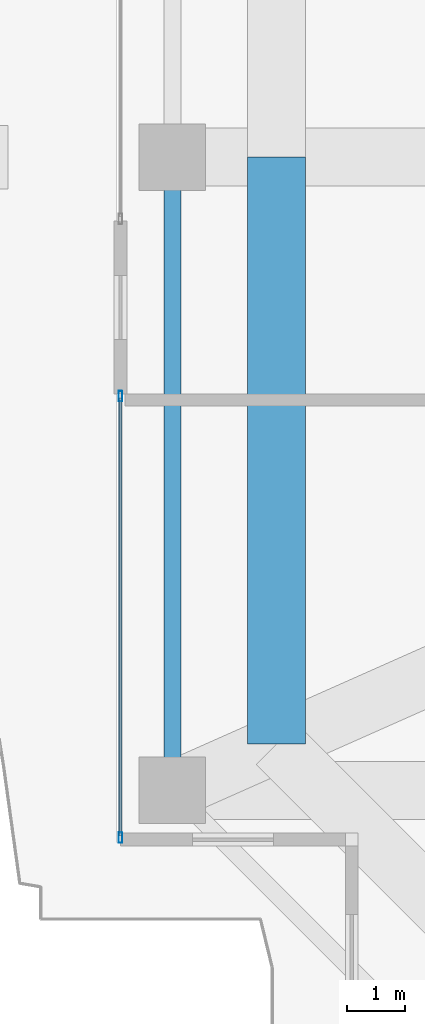
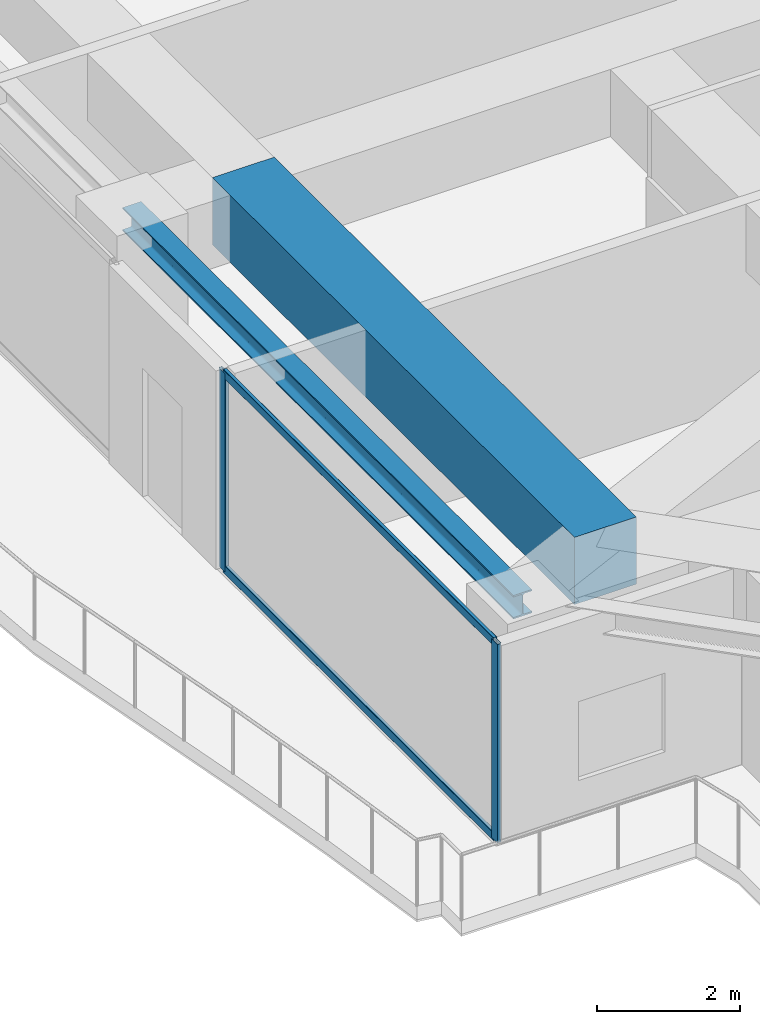
# One storey, part 3 of 39: 4 members, 2 beams, 1 element without a shape of its own.
"""IFC4 building model written with IfcOpenShell, lengths in metres."""

from ifc_helpers import new_model, si_unit, direction, frame, origin, origin_2d, place, context, subcontext, project, spatial, rectangle, hollow_rectangle, i_section, extrude, source, transform, mapped, material, layer, layer_set, material_profile, profile_set, type_object, element, aggregate, save


model = new_model("IFC4")

# Units and contexts
model_context = context("Model", 3, precision=1e-05, world=origin(), true_north=direction((0.0, 1.0)))
body_context = subcontext(model_context, "Body", "Model", "MODEL_VIEW")
ifc_project = project(units=[si_unit("LENGTHUNIT", "METRE"), si_unit("AREAUNIT", "SQUARE_METRE"), si_unit("VOLUMEUNIT", "CUBIC_METRE"), si_unit("PLANEANGLEUNIT", "RADIAN"), si_unit("MASSUNIT", "GRAM", prefix="KILO")], contexts=[model_context])

# Site, building, storey
site_placement = place(None, origin())
site = spatial("IfcSite", under=ifc_project, at=site_placement, CompositionType="ELEMENT")
building_placement = place(site_placement, origin())
building = spatial("IfcBuilding", under=site, at=building_placement, Name="Serunith Strait Residences", CompositionType="ELEMENT")
storey_placement = place(building_placement, frame((0.0, 0.0, 283.60009765625)))
storey = spatial("IfcBuildingStorey", under=building, at=storey_placement, Name="L71", CompositionType="ELEMENT", Elevation=283.60009765625)

# Beams
ifc_material_1 = material(Name="Steel S355J2", Category="steel")
ifc_material_profile_1 = material_profile(ifc_material_1, i_section(OverallWidth=0.300048828125, OverallDepth=0.39990234375, WebThickness=0.013427734375, FlangeThickness=0.02392578125, FilletRadius=0.027099609375, at=origin_2d()), Name="HEB 400")
ifc_profile_set_1 = profile_set([ifc_material_profile_1], Name="Steel S355J2")
beam_type_1 = type_object("IfcBeamType", Name="BM-HEB400", PredefinedType="BEAM", material=ifc_profile_set_1)
shared_shape_1 = source(origin(), body_context, "Body", "SweptSolid", [
    extrude(i_section(OverallWidth=0.300048828125, OverallDepth=0.39990234375, WebThickness=0.013427734375, FlangeThickness=0.02392578125, FilletRadius=0.027099609375, at=origin_2d()), origin(), (0.0, 0.0, 1.0), 10.949951171875),
])
beam_1_placement = place(storey_placement, frame((8.300048828125, 21.0, 3.206787109375), z_axis=(0.0, -1.0, 0.0), x_axis=(1.0, 0.0, 0.0)))
element("IfcBeam", 1, at=beam_1_placement, inside=storey, type_object=beam_type_1, Name="L71 Perimeter Ring Beam 15", PredefinedType="BEAM", context=body_context, shape_type="MappedRepresentation", body=[
    mapped(shared_shape_1, transform((0.0, 0.0, 0.0), scale=1.0)),
])
ifc_material_2 = material(Name="Concrete C80/95", Category="concrete")
ifc_material_profile_2 = material_profile(ifc_material_2, rectangle(XDim=1.0, YDim=1.14990234375, at=origin_2d()), Name="RC 1000x1150")
ifc_profile_set_2 = profile_set([ifc_material_profile_2], Name="Concrete C80/95")
beam_type_2 = type_object("IfcBeamType", Name="BM-XFER-1000x1150", PredefinedType="BEAM", material=ifc_profile_set_2)
shared_shape_2 = source(origin(), body_context, "Body", "SweptSolid", [
    extrude(rectangle(XDim=1.0, YDim=1.14990234375, at=origin_2d()), origin(), (0.0, 0.0, 1.0), 10.14990234375),
])
beam_2_placement = place(storey_placement, frame((10.10009765625, 21.0, 2.8349609375), z_axis=(0.0, -1.0, 0.0), x_axis=(1.0, 0.0, 0.0)))
element("IfcBeam", 2, at=beam_2_placement, inside=storey, type_object=beam_type_2, Name="L71 Flare Upper Ring Transfer Girder 15", PredefinedType="BEAM", context=body_context, shape_type="MappedRepresentation", body=[
    mapped(shared_shape_2, transform((0.0, 0.0, 0.0), scale=1.0)),
])

# Curtain wall, members
ifc_material_3 = material(Name="Pale-Champagne Anodised Aluminium", Category="aluminium")
ifc_layer = layer(ifc_material_3, 0.199951171875, Name="Pale-Champagne Anodised Aluminium")
ifc_layer_set = layer_set([ifc_layer], Name="Pale-Champagne Anodised Aluminium")
curtain_wall_type = type_object("IfcCurtainWallType", Name="CW-SYS4", PredefinedType="NOTDEFINED", material=ifc_layer_set)
curtain_wall_placement = place(storey_placement, origin())
curtain_wall = element("IfcCurtainWall", 3, at=curtain_wall_placement, inside=storey, type_object=curtain_wall_type, Name="L71 W Unitised Fritted Curtain Wall", PredefinedType="NOTDEFINED")
ifc_material_profile_3 = material_profile(ifc_material_3, hollow_rectangle(XDim=0.06005859375, YDim=0.139892578125, WallThickness=0.00341796875, InnerFilletRadius=0.00537109375, OuterFilletRadius=0.0087890625, at=origin_2d()), Name="ALU 140x60x3.5")
ifc_profile_set_3 = profile_set([ifc_material_profile_3], Name="Pale-Champagne Anodised Aluminium")
member_type_1 = type_object("IfcMemberType", Name="CW-SYS4-TRAN", PredefinedType="USERDEFINED", material=ifc_profile_set_3)
shared_shape_3 = source(origin(), body_context, "Body", "SweptSolid", [
    extrude(hollow_rectangle(XDim=0.06005859375, YDim=0.139892578125, WallThickness=0.00341796875, InnerFilletRadius=0.00537109375, OuterFilletRadius=0.0087890625, at=origin_2d()), origin(), (0.0, 0.0, 1.0), 7.570068359375),
])
member_1_placement = place(storey_placement, frame((7.39990234375, 16.8349609375, 0.02978515625), z_axis=(0.0, -1.0, 0.0), x_axis=(1.0, 0.0, 0.0)))
member_1 = element("IfcMember", 4, at=member_1_placement, type_object=member_type_1, Name="CW-4 transom 1.1", ObjectType="TRANSOM", PredefinedType="USERDEFINED", context=body_context, shape_type="MappedRepresentation", body=[
    mapped(shared_shape_3, transform((0.0, 0.0, 0.0), scale=1.0)),
])
member_2_placement = place(storey_placement, frame((7.39990234375, 16.8349609375, 3.364990234375), z_axis=(0.0, -1.0, 0.0), x_axis=(1.0, 0.0, 0.0)))
member_2 = element("IfcMember", 5, at=member_2_placement, type_object=member_type_1, Name="CW-4 transom 1.2", ObjectType="TRANSOM", PredefinedType="USERDEFINED", context=body_context, shape_type="MappedRepresentation", body=[
    mapped(shared_shape_3, transform((0.0, 0.0, 0.0), scale=1.0)),
])
ifc_material_profile_4 = material_profile(ifc_material_3, hollow_rectangle(XDim=0.06494140625, YDim=0.179931640625, WallThickness=0.00341796875, InnerFilletRadius=0.00537109375, OuterFilletRadius=0.0087890625, at=origin_2d()), Name="ALU 180x65x3.5")
ifc_profile_set_4 = profile_set([ifc_material_profile_4], Name="Pale-Champagne Anodised Aluminium")
member_type_2 = type_object("IfcMemberType", Name="CW-SYS4-MULL", PredefinedType="MULLION", material=ifc_profile_set_4)
shared_shape_4 = source(origin(), body_context, "Body", "SweptSolid", [
    extrude(hollow_rectangle(XDim=0.06494140625, YDim=0.179931640625, WallThickness=0.00341796875, InnerFilletRadius=0.00537109375, OuterFilletRadius=0.0087890625, at=origin_2d()), origin(), (0.0, 0.0, 1.0), 3.39501953125),
])
member_3_placement = place(storey_placement, frame((7.39990234375, 16.867431640625, 0.0), z_axis=(0.0, 0.0, 1.0), x_axis=(1.0, 0.0, 0.0)))
member_3 = element("IfcMember", 6, at=member_3_placement, type_object=member_type_2, Name="CW-4 mullion 1", PredefinedType="MULLION", context=body_context, shape_type="MappedRepresentation", body=[
    mapped(shared_shape_4, transform((0.0, 0.0, 0.0), scale=1.0)),
])
member_4_placement = place(storey_placement, frame((7.39990234375, 9.232421875, 0.0), z_axis=(0.0, 0.0, 1.0), x_axis=(1.0, 0.0, 0.0)))
member_4 = element("IfcMember", 7, at=member_4_placement, type_object=member_type_2, Name="CW-4 mullion 2", PredefinedType="MULLION", context=body_context, shape_type="MappedRepresentation", body=[
    mapped(shared_shape_4, transform((0.0, 0.0, 0.0), scale=1.0)),
])
aggregate(curtain_wall, [member_3, member_4, member_1, member_2])

save(model, "model.ifc")
